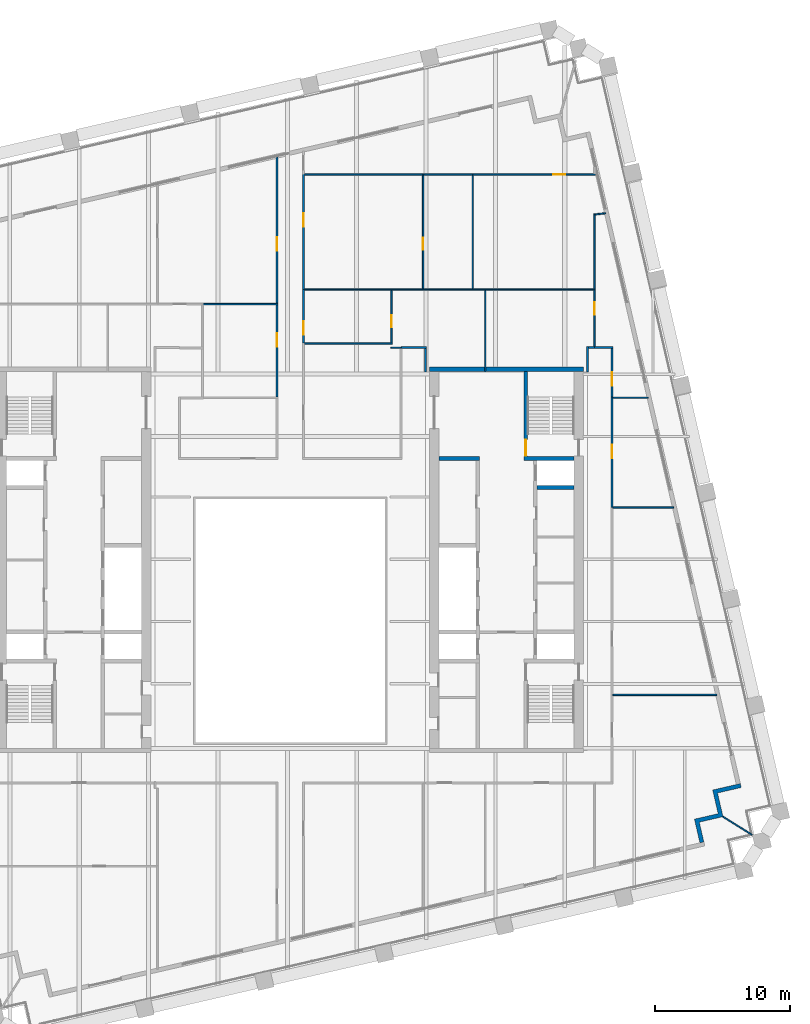
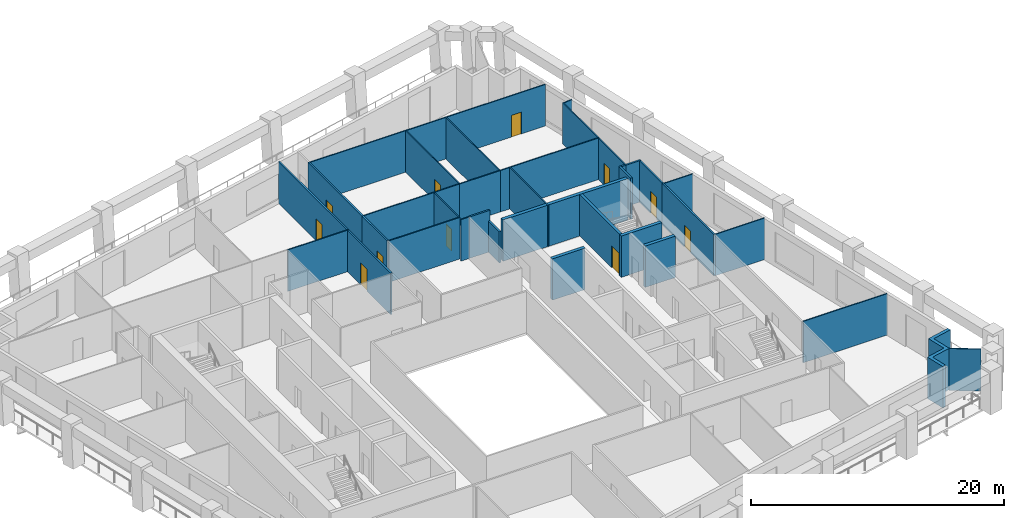
# One storey, part 8 of 10: 39 walls, 11 doors, 11 openings.
"""IFC4 building model written with IfcOpenShell, lengths in metres."""

from ifc_helpers import new_model, si_unit, direction, frame, frame_2d, origin, place, context, subcontext, project, spatial, polyline, rectangle, outline, extrude, material, layer, layer_set, type_object, element, fill, save


model = new_model("IFC4")

# Units and contexts
model_context = context("Model", 3, precision=1e-05, world=origin(), true_north=direction((0.0, 1.0)))
body_context = subcontext(model_context, "Body", "Model", "MODEL_VIEW")
ifc_project = project(units=[si_unit("LENGTHUNIT", "METRE"), si_unit("AREAUNIT", "SQUARE_METRE"), si_unit("VOLUMEUNIT", "CUBIC_METRE"), si_unit("PLANEANGLEUNIT", "RADIAN"), si_unit("MASSUNIT", "GRAM", prefix="KILO")], contexts=[model_context])

# Site, building, storey
site_placement = place(None, origin())
site = spatial("IfcSite", under=ifc_project, at=site_placement, CompositionType="ELEMENT")
building_placement = place(site_placement, origin())
building = spatial("IfcBuilding", under=site, at=building_placement, Name="Ogive Exchange Tower", CompositionType="ELEMENT")
storey_placement = place(building_placement, frame((0.0, 0.0, 188.39990234375)))
storey = spatial("IfcBuildingStorey", under=building, at=storey_placement, Name="L41", CompositionType="ELEMENT", Elevation=188.39990234375)

# Wall
ifc_material_1 = material(Name="Gypsum board partition")
ifc_layer_1 = layer(ifc_material_1, 0.300048828125)
ifc_layer_set_1 = layer_set([ifc_layer_1], Name="Core room partition 300 gypsum")
wall_type_1 = type_object("IfcWallType", Name="Core room partition 300 gypsum", PredefinedType="PARTITIONING", material=ifc_layer_set_1)
wall_1_placement = place(storey_placement, frame((11.0, 19.0, 0.0), z_axis=(0.0, 0.0, 1.0), x_axis=(1.0, 0.0, 0.0)))
element("IfcWall", 1, at=wall_1_placement, inside=storey, type_object=wall_type_1, Name="E row B room end wall 7", PredefinedType="PARTITIONING", context=body_context, shape_type="SweptSolid", body=[
    extrude(rectangle(XDim=3.0, YDim=0.300048828125, at=frame_2d((1.5, 0.0))), origin(), (0.0, 0.0, 1.0), 4.0),
])

# Wall, opening, door
ifc_material_2 = material(Name="Fire partition EI 60 150")
ifc_layer_2 = layer(ifc_material_2, 0.14990234375)
ifc_layer_set_2 = layer_set([ifc_layer_2], Name="Fire partition EI 60 150")
wall_type_2 = type_object("IfcWallType", Name="Fire partition EI 60 150", PredefinedType="PARTITIONING", material=ifc_layer_set_2)
wall_2_placement = place(storey_placement, frame((-0.989990234375, 23.5400390625, 0.0), z_axis=(0.0, 0.0, 1.0), x_axis=(0.0, 1.0, 0.0)))
wall_2 = element("IfcWall", 2, at=wall_2_placement, inside=storey, type_object=wall_type_2, Name="L41-PWL-039", PredefinedType="PARTITIONING", context=body_context, shape_type="SweptSolid", body=[
    extrude(rectangle(XDim=6.830078125, YDim=0.14990234375, at=frame_2d((3.4150390625, 0.0))), origin(), (0.0, 0.0, 1.0), 4.0),
])
opening_1_placement = place(wall_2_placement, frame((3.72998046875, 0.0, 0.0)))
opening_1 = element("IfcOpeningElement", 3, at=opening_1_placement, cuts=wall_2, Name="Opening L41-I06", PredefinedType="OPENING", context=body_context, shape_type="SweptSolid", body=[
    extrude(rectangle(XDim=1.0, YDim=2.10009765625, at=frame_2d((0.5, 1.050048828125))), frame((0.0, 0.0849609375, 0.0), z_axis=(0.0, -1.0, 0.0), x_axis=(1.0, 0.0, 0.0)), (0.0, 0.0, 1.0), 0.169921875),
])
ifc_material_3 = material(Name="Fire door FD 30S 1000 x 2100")
door_type_1 = type_object("IfcDoorType", Name="Fire door FD 30S 1000 x 2100", OperationType="NOTDEFINED", PredefinedType="DOOR", material=ifc_material_3)
door_1_placement = place(opening_1_placement, origin())
door_1 = element("IfcDoor", 4, at=door_1_placement, inside=storey, type_object=door_type_1, Name="L41-IDR-006", ObjectType="DT3", OperationType="SINGLE_SWING_LEFT", OverallHeight=2.10009765625, OverallWidth=1.0, PredefinedType="DOOR", context=body_context, shape_type="SweptSolid", body=[
    extrude(rectangle(XDim=1.0, YDim=2.10009765625, at=frame_2d((0.5, 1.050048828125))), frame((0.0, 0.02490234375, 0.0), z_axis=(0.0, -1.0, 0.0), x_axis=(1.0, 0.0, 0.0)), (0.0, 0.0, 1.0), 0.050048828125),
])
fill(opening_1, door_1)

wall_3_placement = place(storey_placement, frame((-0.989990234375, 30.469970703125, 0.0), z_axis=(0.0, 0.0, 1.0), x_axis=(0.0, 1.0, 0.0)))
wall_3 = element("IfcWall", 5, at=wall_3_placement, inside=storey, type_object=wall_type_2, Name="L41-PWL-040", PredefinedType="PARTITIONING", context=body_context, shape_type="SweptSolid", body=[
    extrude(rectangle(XDim=10.825927734375, YDim=0.14990234375, at=frame_2d((5.4130859375, 0.0))), origin(), (0.0, 0.0, 1.0), 4.0),
])
opening_2_placement = place(wall_3_placement, frame((3.89990234375, 0.0, 0.0)))
opening_2 = element("IfcOpeningElement", 6, at=opening_2_placement, cuts=wall_3, Name="Opening L41-I07", PredefinedType="OPENING", context=body_context, shape_type="SweptSolid", body=[
    extrude(rectangle(XDim=1.0, YDim=2.10009765625, at=frame_2d((0.5, 1.050048828125))), frame((0.0, 0.0849609375, 0.0), z_axis=(0.0, -1.0, 0.0), x_axis=(1.0, 0.0, 0.0)), (0.0, 0.0, 1.0), 0.169921875),
])
door_2_placement = place(opening_2_placement, origin())
door_2 = element("IfcDoor", 7, at=door_2_placement, inside=storey, type_object=door_type_1, Name="L41-IDR-007", ObjectType="DT3", OperationType="SINGLE_SWING_RIGHT", OverallHeight=2.10009765625, OverallWidth=1.0, PredefinedType="DOOR", context=body_context, shape_type="SweptSolid", body=[
    extrude(rectangle(XDim=1.0, YDim=2.10009765625, at=frame_2d((0.5, 1.050048828125))), frame((0.0, 0.02490234375, 0.0), z_axis=(0.0, -1.0, 0.0), x_axis=(1.0, 0.0, 0.0)), (0.0, 0.0, 1.0), 0.050048828125),
])
fill(opening_2, door_2)

wall_4_placement = place(storey_placement, frame((0.989990234375, 31.5, 0.0), z_axis=(0.0, 0.0, 1.0), x_axis=(0.0, -1.0, 0.0)))
wall_4 = element("IfcWall", 8, at=wall_4_placement, inside=storey, type_object=wall_type_2, Name="L41-PWL-044", PredefinedType="PARTITIONING", context=body_context, shape_type="SweptSolid", body=[
    extrude(rectangle(XDim=3.949951171875, YDim=0.14990234375, at=frame_2d((1.97509765625, 0.0))), origin(), (0.0, 0.0, 1.0), 4.0),
])
opening_3_placement = place(wall_4_placement, frame((2.35009765625, 0.0, 0.0)))
opening_3 = element("IfcOpeningElement", 9, at=opening_3_placement, cuts=wall_4, Name="Opening L41-I22", PredefinedType="OPENING", context=body_context, shape_type="SweptSolid", body=[
    extrude(rectangle(XDim=1.0, YDim=2.10009765625, at=frame_2d((0.5, 1.050048828125))), frame((0.0, 0.0849609375, 0.0), z_axis=(0.0, -1.0, 0.0), x_axis=(1.0, 0.0, 0.0)), (0.0, 0.0, 1.0), 0.169921875),
])
door_3_placement = place(opening_3_placement, origin())
door_3 = element("IfcDoor", 10, at=door_3_placement, inside=storey, type_object=door_type_1, Name="L41-IDR-022", ObjectType="DT3", OperationType="SINGLE_SWING_LEFT", OverallHeight=2.10009765625, OverallWidth=1.0, PredefinedType="DOOR", context=body_context, shape_type="SweptSolid", body=[
    extrude(rectangle(XDim=1.0, YDim=2.10009765625, at=frame_2d((0.5, 1.050048828125))), frame((0.0, 0.02490234375, 0.0), z_axis=(0.0, -1.0, 0.0), x_axis=(1.0, 0.0, 0.0)), (0.0, 0.0, 1.0), 0.050048828125),
])
fill(opening_3, door_3)

wall_5_placement = place(storey_placement, frame((0.989990234375, 40.050048828125, 0.0), z_axis=(0.0, 0.0, 1.0), x_axis=(0.0, -1.0, 0.0)))
wall_5 = element("IfcWall", 11, at=wall_5_placement, inside=storey, type_object=wall_type_2, Name="L41-PWL-046", PredefinedType="PARTITIONING", context=body_context, shape_type="SweptSolid", body=[
    extrude(rectangle(XDim=8.550048828125, YDim=0.14990234375, at=frame_2d((4.27490234375, 0.0))), origin(), (0.0, 0.0, 1.0), 4.0),
])
opening_4_placement = place(wall_5_placement, frame((2.89990234375, 0.0, 0.0)))
opening_4 = element("IfcOpeningElement", 12, at=opening_4_placement, cuts=wall_5, Name="Opening L41-I26", PredefinedType="OPENING", context=body_context, shape_type="SweptSolid", body=[
    extrude(rectangle(XDim=1.0, YDim=2.10009765625, at=frame_2d((0.5, 1.050048828125))), frame((0.0, 0.0849609375, 0.0), z_axis=(0.0, -1.0, 0.0), x_axis=(1.0, 0.0, 0.0)), (0.0, 0.0, 1.0), 0.169921875),
])
door_4_placement = place(opening_4_placement, origin())
door_4 = element("IfcDoor", 13, at=door_4_placement, inside=storey, type_object=door_type_1, Name="L41-IDR-026", ObjectType="DT3", OperationType="SINGLE_SWING_RIGHT", OverallHeight=2.10009765625, OverallWidth=1.0, PredefinedType="DOOR", context=body_context, shape_type="SweptSolid", body=[
    extrude(rectangle(XDim=1.0, YDim=2.10009765625, at=frame_2d((0.5, 1.050048828125))), frame((0.0, 0.02490234375, 0.0), z_axis=(0.0, -1.0, 0.0), x_axis=(1.0, 0.0, 0.0)), (0.0, 0.0, 1.0), 0.050048828125),
])
fill(opening_4, door_4)

# Walls
wall_6_placement = place(storey_placement, frame((8.199951171875, 27.199951171875, 0.0), z_axis=(0.0, 0.0, 1.0), x_axis=(1.0, 0.0, 0.0)))
element("IfcWall", 14, at=wall_6_placement, inside=storey, type_object=wall_type_2, Name="L41-PWL-054", PredefinedType="PARTITIONING", context=body_context, shape_type="SweptSolid", body=[
    extrude(rectangle(XDim=1.875, YDim=0.14990234375, at=frame_2d((0.9375, 0.0))), origin(), (0.0, 0.0, 1.0), 4.0),
])
wall_7_placement = place(storey_placement, frame((10.0, 27.125, 0.0), z_axis=(0.0, 0.0, 1.0), x_axis=(0.0, -1.0, 0.0)))
element("IfcWall", 15, at=wall_7_placement, inside=storey, type_object=wall_type_2, Name="L41-PWL-060", PredefinedType="PARTITIONING", context=body_context, shape_type="SweptSolid", body=[
    extrude(rectangle(XDim=1.72509765625, YDim=0.14990234375, at=frame_2d((0.862548828125, 0.0))), origin(), (0.0, 0.0, 1.0), 3.02001953125),
])
wall_8_placement = place(storey_placement, frame((22.0, 25.39990234375, 0.0), z_axis=(0.0, 0.0, 1.0), x_axis=(0.0, 1.0, 0.0)))
element("IfcWall", 16, at=wall_8_placement, inside=storey, type_object=wall_type_2, Name="L41-PWL-068", PredefinedType="PARTITIONING", context=body_context, shape_type="SweptSolid", body=[
    extrude(rectangle(XDim=1.875, YDim=0.14990234375, at=frame_2d((0.9375, 0.0))), origin(), (0.0, 0.0, 1.0), 4.0),
])
wall_9_placement = place(storey_placement, frame((22.074951171875, 27.199951171875, 0.0), z_axis=(0.0, 0.0, 1.0), x_axis=(1.0, 0.0, 0.0)))
element("IfcWall", 17, at=wall_9_placement, inside=storey, type_object=wall_type_2, Name="L41-PWL-069", PredefinedType="PARTITIONING", context=body_context, shape_type="SweptSolid", body=[
    extrude(rectangle(XDim=0.445068359375, YDim=0.14990234375, at=frame_2d((0.22265625, 0.0))), origin(), (0.0, 0.0, 1.0), 4.0),
])
wall_10_placement = place(storey_placement, frame((22.52001953125, 27.199951171875, 0.0), z_axis=(0.0, 0.0, 1.0), x_axis=(1.0, 0.0, 0.0)))
element("IfcWall", 18, at=wall_10_placement, inside=storey, type_object=wall_type_2, Name="L41-PWL-073", PredefinedType="PARTITIONING", context=body_context, shape_type="SweptSolid", body=[
    extrude(rectangle(XDim=1.35498046875, YDim=0.14990234375, at=frame_2d((0.677490234375, 0.0))), origin(), (0.0, 0.0, 1.0), 4.0),
])

# Wall, opening, door
wall_11_placement = place(storey_placement, frame((23.800048828125, 23.5400390625, 0.0), z_axis=(0.0, 0.0, 1.0), x_axis=(0.0, -1.0, 0.0)))
wall_11 = element("IfcWall", 19, at=wall_11_placement, inside=storey, type_object=wall_type_2, Name="L41-PWL-082", PredefinedType="PARTITIONING", context=body_context, shape_type="SweptSolid", body=[
    extrude(rectangle(XDim=8.16015625, YDim=0.14990234375, at=frame_2d((4.080078125, 0.0))), origin(), (0.0, 0.0, 1.0), 4.0),
])
opening_5_placement = place(wall_11_placement, frame((3.510009765625, 0.0, 0.0)))
opening_5 = element("IfcOpeningElement", 20, at=opening_5_placement, cuts=wall_11, Name="Opening L41-I20", PredefinedType="OPENING", context=body_context, shape_type="SweptSolid", body=[
    extrude(rectangle(XDim=1.0, YDim=2.10009765625, at=frame_2d((0.5, 1.050048828125))), frame((0.0, 0.0849609375, 0.0), z_axis=(0.0, -1.0, 0.0), x_axis=(1.0, 0.0, 0.0)), (0.0, 0.0, 1.0), 0.169921875),
])
door_5_placement = place(opening_5_placement, origin())
door_5 = element("IfcDoor", 21, at=door_5_placement, inside=storey, type_object=door_type_1, Name="L41-IDR-020", ObjectType="DT3", OperationType="SINGLE_SWING_LEFT", OverallHeight=2.10009765625, OverallWidth=1.0, PredefinedType="DOOR", context=body_context, shape_type="SweptSolid", body=[
    extrude(rectangle(XDim=1.0, YDim=2.10009765625, at=frame_2d((0.5, 1.050048828125))), frame((0.0, 0.02490234375, 0.0), z_axis=(0.0, -1.0, 0.0), x_axis=(1.0, 0.0, 0.0)), (0.0, 0.0, 1.0), 0.050048828125),
])
fill(opening_5, door_5)

wall_12_placement = place(storey_placement, frame((23.800048828125, 27.125, 0.0), z_axis=(0.0, 0.0, 1.0), x_axis=(0.0, -1.0, 0.0)))
wall_12 = element("IfcWall", 22, at=wall_12_placement, inside=storey, type_object=wall_type_2, Name="L41-PWL-084", PredefinedType="PARTITIONING", context=body_context, shape_type="SweptSolid", body=[
    extrude(rectangle(XDim=3.5849609375, YDim=0.14990234375, at=frame_2d((1.79248046875, 0.0))), origin(), (0.0, 0.0, 1.0), 4.0),
])
opening_6_placement = place(wall_12_placement, frame((1.735107421875, 0.0, 0.0)))
opening_6 = element("IfcOpeningElement", 23, at=opening_6_placement, cuts=wall_12, Name="Opening L41-I21", PredefinedType="OPENING", context=body_context, shape_type="SweptSolid", body=[
    extrude(rectangle(XDim=1.0, YDim=2.10009765625, at=frame_2d((0.5, 1.050048828125))), frame((0.0, 0.0849609375, 0.0), z_axis=(0.0, -1.0, 0.0), x_axis=(1.0, 0.0, 0.0)), (0.0, 0.0, 1.0), 0.169921875),
])
door_6_placement = place(opening_6_placement, origin())
door_6 = element("IfcDoor", 24, at=door_6_placement, inside=storey, type_object=door_type_1, Name="L41-IDR-021", ObjectType="DT3", OperationType="SINGLE_SWING_LEFT", OverallHeight=2.10009765625, OverallWidth=1.0, PredefinedType="DOOR", context=body_context, shape_type="SweptSolid", body=[
    extrude(rectangle(XDim=1.0, YDim=2.10009765625, at=frame_2d((0.5, 1.050048828125))), frame((0.0, 0.02490234375, 0.0), z_axis=(0.0, -1.0, 0.0), x_axis=(1.0, 0.0, 0.0)), (0.0, 0.0, 1.0), 0.050048828125),
])
fill(opening_6, door_6)

# Walls
ifc_material_4 = material(Name="Precast concrete C40/50", Category="concrete")
ifc_layer_3 = layer(ifc_material_4, 0.300048828125)
ifc_layer_set_3 = layer_set([ifc_layer_3], Name="Limestone-faced wall 300")
wall_type_3 = type_object("IfcWallType", Name="Limestone-faced wall 300", PredefinedType="STANDARD", material=ifc_layer_set_3)
wall_13_placement = place(storey_placement, origin())
element("IfcWall", 25, at=wall_13_placement, inside=storey, type_object=wall_type_3, Name="External corner wall C1", PredefinedType="STANDARD", context=body_context, shape_type="SweptSolid", body=[
    extrude(outline(polyline([(31.662109375, -7.28466796875), (31.257080078125, -5.53076171875), (33.30322265625, -5.058349609375), (33.370849609375, -5.3505859375), (31.616943359375, -5.755615234375), (32.02197265625, -7.509521484375), (30.26806640625, -7.914306640625), (30.60546875, -9.3759765625), (30.31298828125, -9.443359375), (29.908203125, -7.689697265625), (31.662109375, -7.28466796875)])), origin(), (0.0, 0.0, 1.0), 4.0),
])
ifc_material_5 = material(Name="Laminated safety glass in steel frame", Category="steel")
ifc_layer_4 = layer(ifc_material_5, 0.10009765625)
ifc_layer_set_4 = layer_set([ifc_layer_4], Name="Loggia end screen 100")
wall_type_4 = type_object("IfcWallType", Name="Loggia end screen 100", PredefinedType="STANDARD", material=ifc_layer_set_4)
wall_14_placement = place(storey_placement, frame((32.02197265625, -7.509521484375, -0.0498046875), z_axis=(0.0, 0.0, 1.0), x_axis=(0.848047176257, -0.529920736377, 0.0)))
element("IfcWall", 26, at=wall_14_placement, inside=storey, type_object=wall_type_4, Name="Loggia end screen C1", PredefinedType="STANDARD", context=body_context, shape_type="SweptSolid", body=[
    extrude(rectangle(XDim=2.525634765625, YDim=0.10009765625, at=frame_2d((1.2626953125, 0.0))), origin(), (0.0, 0.0, 1.0), 4.0498046875),
])
ifc_material_6 = material(Name="Partition 100 gypsum")
ifc_layer_5 = layer(ifc_material_6, 0.10009765625)
ifc_layer_set_5 = layer_set([ifc_layer_5], Name="Partition 100 gypsum")
wall_type_5 = type_object("IfcWallType", Name="Partition 100 gypsum", PredefinedType="PARTITIONING", material=ifc_layer_set_5)
wall_15_placement = place(storey_placement, frame((-6.5, 30.419921875, 0.0), z_axis=(0.0, 0.0, 1.0), x_axis=(1.0, 0.0, 0.0)))
element("IfcWall", 27, at=wall_15_placement, inside=storey, type_object=wall_type_5, Name="L41-PWL-035", PredefinedType="PARTITIONING", context=body_context, shape_type="SweptSolid", body=[
    extrude(rectangle(XDim=5.5849609375, YDim=0.10009765625, at=frame_2d((2.79248046875, 0.0))), origin(), (0.0, 0.0, 1.0), 4.0),
])
wall_16_placement = place(storey_placement, frame((1.06494140625, 31.5, 0.0), z_axis=(0.0, 0.0, 1.0), x_axis=(1.0, 0.0, 0.0)))
element("IfcWall", 28, at=wall_16_placement, inside=storey, type_object=wall_type_5, Name="L41-PWL-045", PredefinedType="PARTITIONING", context=body_context, shape_type="SweptSolid", body=[
    extrude(rectangle(XDim=6.485107421875, YDim=0.10009765625, at=frame_2d((3.24267578125, 0.0))), origin(), (0.0, 0.0, 1.0), 4.0),
])
wall_17_placement = place(storey_placement, frame((1.06494140625, 40.0, 0.0), z_axis=(0.0, 0.0, 1.0), x_axis=(1.0, 0.0, 0.0)))
element("IfcWall", 29, at=wall_17_placement, inside=storey, type_object=wall_type_5, Name="L41-PWL-047", PredefinedType="PARTITIONING", context=body_context, shape_type="SweptSolid", body=[
    extrude(rectangle(XDim=8.81494140625, YDim=0.10009765625, at=frame_2d((4.407470703125, 0.0))), origin(), (0.0, 0.0, 1.0), 4.0),
])
wall_18_placement = place(storey_placement, frame((7.449951171875, 27.18994140625, 0.0), z_axis=(0.0, 0.0, 1.0), x_axis=(1.0, 0.0, 0.0)))
element("IfcWall", 30, at=wall_18_placement, inside=storey, type_object=wall_type_5, Name="L41-PWL-049", PredefinedType="PARTITIONING", context=body_context, shape_type="SweptSolid", body=[
    extrude(rectangle(XDim=0.75, YDim=0.10009765625, at=frame_2d((0.375, 0.0))), origin(), (0.0, 0.0, 1.0), 4.0),
])
wall_19_placement = place(storey_placement, frame((7.550048828125, 27.5, 0.0), z_axis=(0.0, 0.0, 1.0), x_axis=(-1.0, 0.0, 0.0)))
element("IfcWall", 31, at=wall_19_placement, inside=storey, type_object=wall_type_5, Name="L41-PWL-050", PredefinedType="PARTITIONING", context=body_context, shape_type="SweptSolid", body=[
    extrude(rectangle(XDim=6.485107421875, YDim=0.10009765625, at=frame_2d((3.24267578125, 0.0))), origin(), (0.0, 0.0, 1.0), 4.0),
])

# Wall, opening, door
wall_20_placement = place(storey_placement, frame((7.5, 31.449951171875, 0.0), z_axis=(0.0, 0.0, 1.0), x_axis=(0.0, -1.0, 0.0)))
wall_20 = element("IfcWall", 32, at=wall_20_placement, inside=storey, type_object=wall_type_5, Name="L41-PWL-051", PredefinedType="PARTITIONING", context=body_context, shape_type="SweptSolid", body=[
    extrude(rectangle(XDim=3.89990234375, YDim=0.10009765625, at=frame_2d((1.949951171875, 0.0))), origin(), (0.0, 0.0, 1.0), 4.0),
])
opening_7_placement = place(wall_20_placement, frame((1.85009765625, 0.0, 0.0)))
opening_7 = element("IfcOpeningElement", 33, at=opening_7_placement, cuts=wall_20, Name="Opening L41-I24", PredefinedType="OPENING", context=body_context, shape_type="SweptSolid", body=[
    extrude(rectangle(XDim=0.89990234375, YDim=2.10009765625, at=frame_2d((0.449951171875, 1.050048828125))), frame((0.0, 0.06005859375, 0.0), z_axis=(0.0, -1.0, 0.0), x_axis=(1.0, 0.0, 0.0)), (0.0, 0.0, 1.0), 0.1201171875),
])
ifc_material_7 = material(Name="Door 900 x 2100")
door_type_2 = type_object("IfcDoorType", Name="Door 900 x 2100", OperationType="NOTDEFINED", PredefinedType="DOOR", material=ifc_material_7)
door_7_placement = place(opening_7_placement, frame((0.89990234375, 0.0, 0.0), z_axis=(0.0, 0.0, 1.0), x_axis=(-1.0, 0.0, 0.0)))
door_7 = element("IfcDoor", 34, at=door_7_placement, inside=storey, type_object=door_type_2, Name="L41-IDR-024", ObjectType="DT1", OperationType="SINGLE_SWING_RIGHT", OverallHeight=2.10009765625, OverallWidth=0.89990234375, PredefinedType="DOOR", context=body_context, shape_type="SweptSolid", body=[
    extrude(rectangle(XDim=0.89990234375, YDim=2.10009765625, at=frame_2d((0.449951171875, 1.050048828125))), frame((0.0, 0.02490234375, 0.0), z_axis=(0.0, -1.0, 0.0), x_axis=(1.0, 0.0, 0.0)), (0.0, 0.0, 1.0), 0.050048828125),
])
fill(opening_7, door_7)

# Walls
wall_21_placement = place(storey_placement, frame((7.5, 31.5, 0.0), z_axis=(0.0, 0.0, 1.0), x_axis=(1.0, 0.0, 0.0)))
element("IfcWall", 35, at=wall_21_placement, inside=storey, type_object=wall_type_5, Name="L41-PWL-052", PredefinedType="PARTITIONING", context=body_context, shape_type="SweptSolid", body=[
    extrude(rectangle(XDim=2.280029296875, YDim=0.10009765625, at=frame_2d((1.14013671875, 0.0))), origin(), (0.0, 0.0, 1.0), 4.0),
])
wall_22_placement = place(storey_placement, frame((9.780029296875, 31.5, 0.0), z_axis=(0.0, 0.0, 1.0), x_axis=(1.0, 0.0, 0.0)))
element("IfcWall", 36, at=wall_22_placement, inside=storey, type_object=wall_type_5, Name="L41-PWL-057", PredefinedType="PARTITIONING", context=body_context, shape_type="SweptSolid", body=[
    extrude(rectangle(XDim=3.77001953125, YDim=0.10009765625, at=frame_2d((1.885009765625, 0.0))), origin(), (0.0, 0.0, 1.0), 4.0),
])

# Wall, opening, door
wall_23_placement = place(storey_placement, frame((9.830078125, 39.949951171875, 0.0), z_axis=(0.0, 0.0, 1.0), x_axis=(0.0, -1.0, 0.0)))
wall_23 = element("IfcWall", 37, at=wall_23_placement, inside=storey, type_object=wall_type_5, Name="L41-PWL-058", PredefinedType="PARTITIONING", context=body_context, shape_type="SweptSolid", body=[
    extrude(rectangle(XDim=8.39990234375, YDim=0.10009765625, at=frame_2d((4.199951171875, 0.0))), origin(), (0.0, 0.0, 1.0), 4.0),
])
opening_8_placement = place(wall_23_placement, frame((4.60009765625, 0.0, 0.0)))
opening_8 = element("IfcOpeningElement", 38, at=opening_8_placement, cuts=wall_23, Name="Opening L41-I27", PredefinedType="OPENING", context=body_context, shape_type="SweptSolid", body=[
    extrude(rectangle(XDim=0.89990234375, YDim=2.10009765625, at=frame_2d((0.449951171875, 1.050048828125))), frame((0.0, 0.06005859375, 0.0), z_axis=(0.0, -1.0, 0.0), x_axis=(1.0, 0.0, 0.0)), (0.0, 0.0, 1.0), 0.1201171875),
])
door_8_placement = place(opening_8_placement, origin())
door_8 = element("IfcDoor", 39, at=door_8_placement, inside=storey, type_object=door_type_2, Name="L41-IDR-027", ObjectType="DT1", OperationType="SINGLE_SWING_LEFT", OverallHeight=2.10009765625, OverallWidth=0.89990234375, PredefinedType="DOOR", context=body_context, shape_type="SweptSolid", body=[
    extrude(rectangle(XDim=0.89990234375, YDim=2.10009765625, at=frame_2d((0.449951171875, 1.050048828125))), frame((0.0, 0.02490234375, 0.0), z_axis=(0.0, -1.0, 0.0), x_axis=(1.0, 0.0, 0.0)), (0.0, 0.0, 1.0), 0.050048828125),
])
fill(opening_8, door_8)

# Walls
wall_24_placement = place(storey_placement, frame((9.8798828125, 40.0, 0.0), z_axis=(0.0, 0.0, 1.0), x_axis=(1.0, 0.0, 0.0)))
element("IfcWall", 40, at=wall_24_placement, inside=storey, type_object=wall_type_5, Name="L41-PWL-059", PredefinedType="PARTITIONING", context=body_context, shape_type="SweptSolid", body=[
    extrude(rectangle(XDim=3.6201171875, YDim=0.10009765625, at=frame_2d((1.81005859375, 0.0))), origin(), (0.0, 0.0, 1.0), 4.0),
])
wall_25_placement = place(storey_placement, frame((13.550048828125, 31.5, 0.0), z_axis=(0.0, 0.0, 1.0), x_axis=(1.0, 0.0, 0.0)))
element("IfcWall", 41, at=wall_25_placement, inside=storey, type_object=wall_type_5, Name="L41-PWL-061", PredefinedType="PARTITIONING", context=body_context, shape_type="SweptSolid", body=[
    extrude(rectangle(XDim=0.8798828125, YDim=0.10009765625, at=frame_2d((0.43994140625, 0.0))), origin(), (0.0, 0.0, 1.0), 4.0),
])
wall_26_placement = place(storey_placement, frame((13.5, 39.949951171875, 0.0), z_axis=(0.0, 0.0, 1.0), x_axis=(0.0, -1.0, 0.0)))
element("IfcWall", 42, at=wall_26_placement, inside=storey, type_object=wall_type_5, Name="L41-PWL-062", PredefinedType="PARTITIONING", context=body_context, shape_type="SweptSolid", body=[
    extrude(rectangle(XDim=8.39990234375, YDim=0.10009765625, at=frame_2d((4.199951171875, 0.0))), origin(), (0.0, 0.0, 1.0), 4.0),
])

# Wall, opening, door
wall_27_placement = place(storey_placement, frame((13.5, 40.0, 0.0), z_axis=(0.0, 0.0, 1.0), x_axis=(1.0, 0.0, 0.0)))
wall_27 = element("IfcWall", 43, at=wall_27_placement, inside=storey, type_object=wall_type_5, Name="L41-PWL-063", PredefinedType="PARTITIONING", context=body_context, shape_type="SweptSolid", body=[
    extrude(rectangle(XDim=9.070068359375, YDim=0.10009765625, at=frame_2d((4.53515625, 0.0))), origin(), (0.0, 0.0, 1.0), 4.0),
])
opening_9_placement = place(wall_27_placement, frame((5.949951171875, 0.0, 0.0)))
opening_9 = element("IfcOpeningElement", 44, at=opening_9_placement, cuts=wall_27, Name="Opening L41-I28", PredefinedType="OPENING", context=body_context, shape_type="SweptSolid", body=[
    extrude(rectangle(XDim=0.89990234375, YDim=2.10009765625, at=frame_2d((0.449951171875, 1.050048828125))), frame((0.0, 0.06005859375, 0.0), z_axis=(0.0, -1.0, 0.0), x_axis=(1.0, 0.0, 0.0)), (0.0, 0.0, 1.0), 0.1201171875),
])
door_9_placement = place(opening_9_placement, frame((0.89990234375, 0.0, 0.0), z_axis=(0.0, 0.0, 1.0), x_axis=(-1.0, 0.0, 0.0)))
door_9 = element("IfcDoor", 45, at=door_9_placement, inside=storey, type_object=door_type_2, Name="L41-IDR-028", ObjectType="DT1", OperationType="SINGLE_SWING_RIGHT", OverallHeight=2.10009765625, OverallWidth=0.89990234375, PredefinedType="DOOR", context=body_context, shape_type="SweptSolid", body=[
    extrude(rectangle(XDim=0.89990234375, YDim=2.10009765625, at=frame_2d((0.449951171875, 1.050048828125))), frame((0.0, 0.02490234375, 0.0), z_axis=(0.0, -1.0, 0.0), x_axis=(1.0, 0.0, 0.0)), (0.0, 0.0, 1.0), 0.050048828125),
])
fill(opening_9, door_9)

# Walls
wall_28_placement = place(storey_placement, frame((14.429931640625, 31.449951171875, 0.0), z_axis=(0.0, 0.0, 1.0), x_axis=(0.0, -1.0, 0.0)))
element("IfcWall", 46, at=wall_28_placement, inside=storey, type_object=wall_type_5, Name="L41-PWL-066", PredefinedType="PARTITIONING", context=body_context, shape_type="SweptSolid", body=[
    extrude(rectangle(XDim=6.050048828125, YDim=0.10009765625, at=frame_2d((3.02490234375, 0.0))), origin(), (0.0, 0.0, 1.0), 4.0),
])
wall_29_placement = place(storey_placement, frame((14.429931640625, 31.5, 0.0), z_axis=(0.0, 0.0, 1.0), x_axis=(1.0, 0.0, 0.0)))
element("IfcWall", 47, at=wall_29_placement, inside=storey, type_object=wall_type_5, Name="L41-PWL-067", PredefinedType="PARTITIONING", context=body_context, shape_type="SweptSolid", body=[
    extrude(rectangle(XDim=8.14013671875, YDim=0.10009765625, at=frame_2d((4.070068359375, 0.0))), origin(), (0.0, 0.0, 1.0), 4.0),
])

# Wall, opening, door
wall_30_placement = place(storey_placement, frame((22.52001953125, 27.27490234375, 0.0), z_axis=(0.0, 0.0, 1.0), x_axis=(0.0, 1.0, 0.0)))
wall_30 = element("IfcWall", 48, at=wall_30_placement, inside=storey, type_object=wall_type_5, Name="L41-PWL-072", PredefinedType="PARTITIONING", context=body_context, shape_type="SweptSolid", body=[
    extrude(rectangle(XDim=4.175048828125, YDim=0.10009765625, at=frame_2d((2.08740234375, 0.0))), origin(), (0.0, 0.0, 1.0), 4.0),
])
opening_10_placement = place(wall_30_placement, frame((2.375, 0.0, 0.0)))
opening_10 = element("IfcOpeningElement", 49, at=opening_10_placement, cuts=wall_30, Name="Opening L41-I25", PredefinedType="OPENING", context=body_context, shape_type="SweptSolid", body=[
    extrude(rectangle(XDim=0.89990234375, YDim=2.10009765625, at=frame_2d((0.449951171875, 1.050048828125))), frame((0.0, 0.06005859375, 0.0), z_axis=(0.0, -1.0, 0.0), x_axis=(1.0, 0.0, 0.0)), (0.0, 0.0, 1.0), 0.1201171875),
])
door_10_placement = place(opening_10_placement, frame((0.89990234375, 0.0, 0.0), z_axis=(0.0, 0.0, 1.0), x_axis=(-1.0, 0.0, 0.0)))
door_10 = element("IfcDoor", 50, at=door_10_placement, inside=storey, type_object=door_type_2, Name="L41-IDR-025", ObjectType="DT1", OperationType="SINGLE_SWING_LEFT", OverallHeight=2.10009765625, OverallWidth=0.89990234375, PredefinedType="DOOR", context=body_context, shape_type="SweptSolid", body=[
    extrude(rectangle(XDim=0.89990234375, YDim=2.10009765625, at=frame_2d((0.449951171875, 1.050048828125))), frame((0.0, 0.02490234375, 0.0), z_axis=(0.0, -1.0, 0.0), x_axis=(1.0, 0.0, 0.0)), (0.0, 0.0, 1.0), 0.050048828125),
])
fill(opening_10, door_10)

# Walls
wall_31_placement = place(storey_placement, frame((22.52001953125, 31.550048828125, 0.0), z_axis=(0.0, 0.0, 1.0), x_axis=(0.0, 1.0, 0.0)))
element("IfcWall", 51, at=wall_31_placement, inside=storey, type_object=wall_type_5, Name="L41-PWL-074", PredefinedType="PARTITIONING", context=body_context, shape_type="SweptSolid", body=[
    extrude(rectangle(XDim=5.550048828125, YDim=0.10009765625, at=frame_2d((2.77490234375, 0.0))), origin(), (0.0, 0.0, 1.0), 4.0),
])
wall_32_placement = place(storey_placement, frame((22.570068359375, 37.055908203125, 0.0), z_axis=(0.0, 0.0, 1.0), x_axis=(0.993410326243, 0.114612057454, 0.0)))
element("IfcWall", 52, at=wall_32_placement, inside=storey, type_object=wall_type_5, Name="L41-PWL-075", PredefinedType="PARTITIONING", context=body_context, shape_type="SweptSolid", body=[
    extrude(rectangle(XDim=0.76904296875, YDim=0.10009765625, at=frame_2d((0.384521484375, 0.0))), origin(), (0.0, 0.0, 1.0), 4.0),
])
wall_33_placement = place(storey_placement, frame((23.875, 1.510009765625, 0.0), z_axis=(0.0, 0.0, 1.0), x_axis=(1.0, 0.0, 0.0)))
element("IfcWall", 53, at=wall_33_placement, inside=storey, type_object=wall_type_5, Name="L41-PWL-079", PredefinedType="PARTITIONING", context=body_context, shape_type="SweptSolid", body=[
    extrude(rectangle(XDim=7.68701171875, YDim=0.10009765625, at=frame_2d((3.843505859375, 0.0))), origin(), (0.0, 0.0, 1.0), 4.0),
])
wall_34_placement = place(storey_placement, frame((23.875, 15.3798828125, 0.0), z_axis=(0.0, 0.0, 1.0), x_axis=(1.0, 0.0, 0.0)))
element("IfcWall", 54, at=wall_34_placement, inside=storey, type_object=wall_type_5, Name="L41-PWL-081", PredefinedType="PARTITIONING", context=body_context, shape_type="SweptSolid", body=[
    extrude(rectangle(XDim=4.485107421875, YDim=0.10009765625, at=frame_2d((2.24267578125, 0.0))), origin(), (0.0, 0.0, 1.0), 4.0),
])
wall_35_placement = place(storey_placement, frame((23.875, 23.489990234375, 0.0), z_axis=(0.0, 0.0, 1.0), x_axis=(1.0, 0.0, 0.0)))
element("IfcWall", 55, at=wall_35_placement, inside=storey, type_object=wall_type_5, Name="L41-PWL-083", PredefinedType="PARTITIONING", context=body_context, shape_type="SweptSolid", body=[
    extrude(rectangle(XDim=2.612060546875, YDim=0.10009765625, at=frame_2d((1.30615234375, 0.0))), origin(), (0.0, 0.0, 1.0), 4.0),
])

# Wall, opening, door
ifc_material_8 = material(Name="Concrete C70/85", Category="concrete")
ifc_layer_6 = layer(ifc_material_8, 0.25)
ifc_layer_set_6 = layer_set([ifc_layer_6], Name="RC core wall 250 C70/85")
wall_type_6 = type_object("IfcWallType", Name="RC core wall 250 C70/85", PredefinedType="SHEAR", material=ifc_layer_set_6)
wall_36_placement = place(storey_placement, frame((17.425048828125, 19.14990234375, 0.0), z_axis=(0.0, 0.0, 1.0), x_axis=(0.0, 1.0, 0.0)))
wall_36 = element("IfcWall", 56, at=wall_36_placement, inside=storey, type_object=wall_type_6, Name="E stair N front wall", PredefinedType="SHEAR", context=body_context, shape_type="SweptSolid", body=[
    extrude(rectangle(XDim=6.300048828125, YDim=0.25, at=frame_2d((3.14990234375, 0.0))), origin(), (0.0, 0.0, 1.0), 4.0),
])
opening_11_placement = place(wall_36_placement, frame((0.050048828125, 0.0, 0.0)))
opening_11 = element("IfcOpeningElement", 57, at=opening_11_placement, cuts=wall_36, Name="Opening L41-C32", PredefinedType="OPENING", context=body_context, shape_type="SweptSolid", body=[
    extrude(rectangle(XDim=1.199951171875, YDim=2.10009765625, at=frame_2d((0.60009765625, 1.050048828125))), frame((0.0, 0.135009765625, 0.0), z_axis=(0.0, -1.0, 0.0), x_axis=(1.0, 0.0, 0.0)), (0.0, 0.0, 1.0), 0.27001953125),
])
ifc_material_9 = material(Name="Steel fire door", Category="steel")
door_type_3 = type_object("IfcDoorType", Name="Stair door FD90 1200 x 2100", OperationType="NOTDEFINED", PredefinedType="DOOR", material=ifc_material_9)
door_11_placement = place(opening_11_placement, frame((1.199951171875, 0.0, 0.0), z_axis=(0.0, 0.0, 1.0), x_axis=(-1.0, 0.0, 0.0)))
door_11 = element("IfcDoor", 58, at=door_11_placement, inside=storey, type_object=door_type_3, Name="Stair door", ObjectType="CD5", OperationType="SINGLE_SWING_LEFT", OverallHeight=2.10009765625, OverallWidth=1.199951171875, PredefinedType="DOOR", context=body_context, shape_type="SweptSolid", body=[
    extrude(rectangle(XDim=1.199951171875, YDim=2.10009765625, at=frame_2d((0.60009765625, 1.050048828125))), frame((0.0, 0.02490234375, 0.0), z_axis=(0.0, -1.0, 0.0), x_axis=(1.0, 0.0, 0.0)), (0.0, 0.0, 1.0), 0.050048828125),
])
fill(opening_11, door_11)

# Walls
ifc_layer_7 = layer(ifc_material_8, 0.300048828125)
ifc_layer_set_7 = layer_set([ifc_layer_7], Name="RC core wall 300 C70/85")
wall_type_7 = type_object("IfcWallType", Name="RC core wall 300 C70/85", PredefinedType="SHEAR", material=ifc_layer_set_7)
wall_37_placement = place(storey_placement, frame((10.300048828125, 25.60009765625, 0.0), z_axis=(0.0, 0.0, 1.0), x_axis=(1.0, 0.0, 0.0)))
element("IfcWall", 59, at=wall_37_placement, inside=storey, type_object=wall_type_7, Name="E north end wall", PredefinedType="SHEAR", context=body_context, shape_type="SweptSolid", body=[
    extrude(rectangle(XDim=11.39990234375, YDim=0.300048828125, at=frame_2d((5.699951171875, 0.0))), origin(), (0.0, 0.0, 1.0), 4.0),
])
wall_38_placement = place(storey_placement, frame((17.300048828125, 19.0, 0.0), z_axis=(0.0, 0.0, 1.0), x_axis=(1.0, 0.0, 0.0)))
element("IfcWall", 60, at=wall_38_placement, inside=storey, type_object=wall_type_7, Name="E stair N south wall", PredefinedType="SHEAR", context=body_context, shape_type="SweptSolid", body=[
    extrude(rectangle(XDim=3.699951171875, YDim=0.300048828125, at=frame_2d((1.85009765625, 0.0))), origin(), (0.0, 0.0, 1.0), 4.0),
])
wall_39_placement = place(storey_placement, frame((18.25, 16.857177734375, 0.0), z_axis=(0.0, 0.0, 1.0), x_axis=(1.0, 0.0, 0.0)))
element("IfcWall", 61, at=wall_39_placement, inside=storey, type_object=wall_type_7, Name="E row A divider 6", PredefinedType="SHEAR", context=body_context, shape_type="SweptSolid", body=[
    extrude(rectangle(XDim=2.75, YDim=0.300048828125, at=frame_2d((1.375, 0.0))), origin(), (0.0, 0.0, 1.0), 4.0),
])

save(model, "model.ifc")
